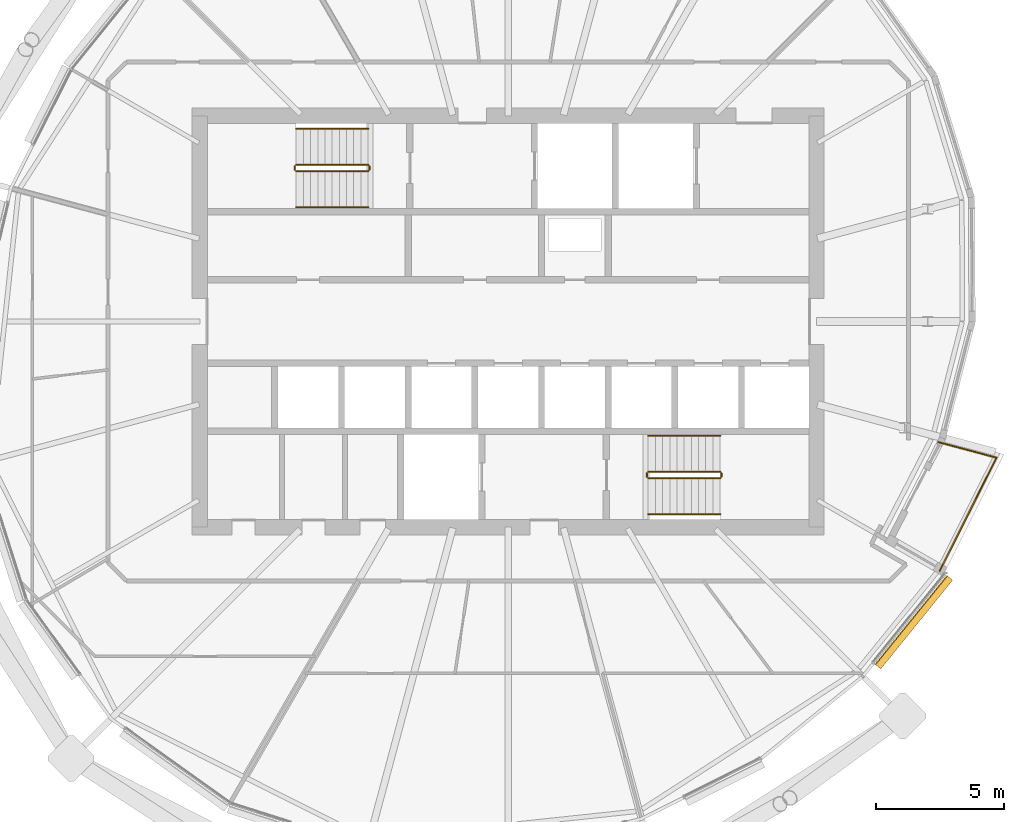
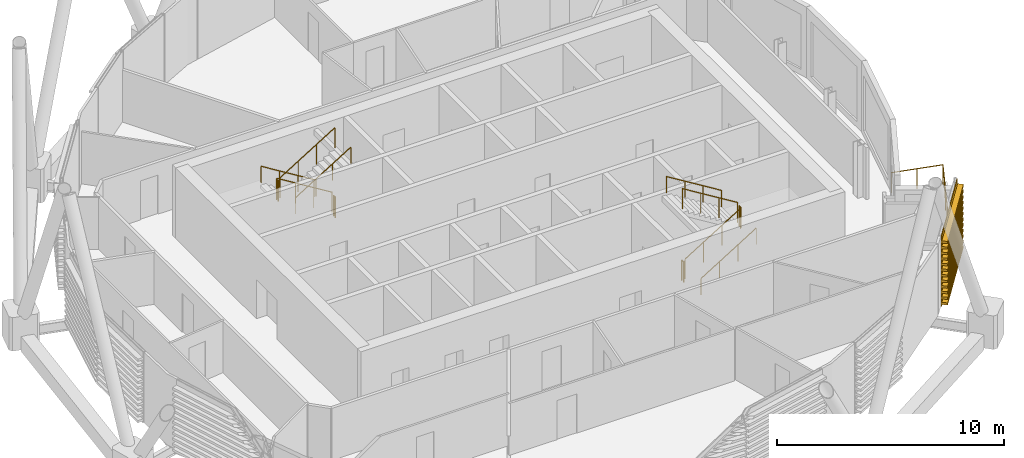
# One storey, part 34 of 35: 13 railings, 1 covering.
"""IFC4 building model written with IfcOpenShell, lengths in metres."""

from ifc_helpers import new_model, si_unit, direction, frame, origin, origin_2d, place, context, subcontext, project, spatial, polyline, circle, outline, extrude, material, material_profile, profile_set, type_object, element, save


model = new_model("IFC4")

# Units and contexts
model_context = context("Model", 3, precision=1e-05, world=origin(), true_north=direction((0.0, 1.0)))
body_context = subcontext(model_context, "Body", "Model", "MODEL_VIEW")
ifc_project = project(units=[si_unit("LENGTHUNIT", "METRE"), si_unit("AREAUNIT", "SQUARE_METRE"), si_unit("VOLUMEUNIT", "CUBIC_METRE"), si_unit("PLANEANGLEUNIT", "RADIAN"), si_unit("MASSUNIT", "GRAM", prefix="KILO")], contexts=[model_context])

# Site, building, storey
site_placement = place(None, origin())
site = spatial("IfcSite", under=ifc_project, at=site_placement, CompositionType="ELEMENT")
building_placement = place(site_placement, origin())
building = spatial("IfcBuilding", under=site, at=building_placement, Name="Rimbun Link Towers", CompositionType="ELEMENT")
storey_placement = place(building_placement, frame((0.0, 0.0, 181.699951171875)))
storey = spatial("IfcBuildingStorey", under=building, at=storey_placement, Name="L44", CompositionType="ELEMENT", Elevation=181.699951171875)

# Railings
ifc_material_1 = material(Name="Stainless steel grade 316", Category="steel")
railing_type_1 = type_object("IfcRailingType", Name="GUARD stainless rail and posts", PredefinedType="GUARDRAIL", material=ifc_material_1)
railing_1_placement = place(storey_placement, frame((48.544189453125, -9.709716796875, 0.0)))
element("IfcRailing", 1, at=railing_1_placement, inside=storey, type_object=railing_type_1, Name="GUARD", PredefinedType="GUARDRAIL", context=body_context, shape_type="SweptSolid", body=[
    extrude(circle(Radius=0.02392578125, at=origin_2d()), frame((0.0, 0.0, 1.076171875), z_axis=(0.448776455302, 0.893644052835, 0.0), x_axis=(-0.893644052835, 0.448776455302, 0.0)), (0.0, 0.0, 1.0), 4.934326171875),
    extrude(circle(Radius=0.02392578125, at=origin_2d()), frame((2.21435546875, 4.409423828125, 1.076171875), z_axis=(-0.965924445244, 0.258824199177, 0.0), x_axis=(-0.258824199177, -0.965924445244, 0.0)), (0.0, 0.0, 1.0), 2.3544921875),
    extrude(circle(Radius=0.02099609375, at=origin_2d()), origin(), (0.0, 0.0, 1.0), 1.052001953125),
    extrude(circle(Radius=0.02099609375, at=origin_2d()), frame((0.44287109375, 0.8818359375, 0.0)), (0.0, 0.0, 1.0), 1.052001953125),
    extrude(circle(Radius=0.02099609375, at=origin_2d()), frame((0.8857421875, 1.763671875, 0.0)), (0.0, 0.0, 1.0), 1.052001953125),
    extrude(circle(Radius=0.02099609375, at=origin_2d()), frame((1.32861328125, 2.645751953125, 0.0)), (0.0, 0.0, 1.0), 1.052001953125),
    extrude(circle(Radius=0.02099609375, at=origin_2d()), frame((1.771484375, 3.527587890625, 0.0)), (0.0, 0.0, 1.0), 1.052001953125),
    extrude(circle(Radius=0.02099609375, at=origin_2d()), frame((2.21435546875, 4.409423828125, 0.0)), (0.0, 0.0, 1.0), 1.052001953125),
    extrude(circle(Radius=0.02099609375, at=origin_2d()), frame((1.0771484375, 4.714111328125, 0.0)), (0.0, 0.0, 1.0), 1.052001953125),
    extrude(circle(Radius=0.02099609375, at=origin_2d()), frame((-0.059814453125, 5.018798828125, 0.0)), (0.0, 0.0, 1.0), 1.052001953125),
])
ifc_material_2 = material(Name="Stainless steel grade 316", Category="steel")
railing_type_2 = type_object("IfcRailingType", Name="Stair guard", PredefinedType="GUARDRAIL", material=ifc_material_2)
railing_2_placement = place(storey_placement, frame((26.300048828125, 6.10009765625, 0.1728515625)))
element("IfcRailing", 2, at=railing_2_placement, inside=storey, type_object=railing_type_2, Name="L44 ST3 stair guard 1", PredefinedType="GUARDRAIL", context=body_context, shape_type="SweptSolid", body=[
    extrude(circle(Radius=0.02392578125, at=origin_2d()), frame((0.0, 0.0, 1.076171875), z_axis=(-0.851089632645, 0.0, 0.525020415988), x_axis=(0.0, -1.0, 0.0)), (0.0, 0.0, 1.0), 3.2900390625),
    extrude(circle(Radius=0.02099609375, at=origin_2d()), origin(), (0.0, 0.0, 1.0), 1.052001953125),
    extrude(circle(Radius=0.02099609375, at=origin_2d()), frame((-0.933349609375, 0.0, 0.57568359375)), (0.0, 0.0, 1.0), 1.052001953125),
    extrude(circle(Radius=0.02099609375, at=origin_2d()), frame((-1.86669921875, 0.0, 1.151611328125)), (0.0, 0.0, 1.0), 1.052001953125),
    extrude(circle(Radius=0.02099609375, at=origin_2d()), frame((-2.800048828125, 0.0, 1.727294921875)), (0.0, 0.0, 1.0), 1.052001953125),
])
railing_3_placement = place(storey_placement, frame((23.449951171875, 6.050048828125, 1.900146484375)))
element("IfcRailing", 3, at=railing_3_placement, inside=storey, type_object=railing_type_2, Name="L44 ST3 stair guard 2", PredefinedType="GUARDRAIL", context=body_context, shape_type="SweptSolid", body=[
    extrude(circle(Radius=0.02392578125, at=origin_2d()), frame((0.0, 0.0, 1.076171875), z_axis=(0.0, -1.0, 0.0), x_axis=(1.0, 0.0, 0.0)), (0.0, 0.0, 1.0), 0.150146484375),
    extrude(circle(Radius=0.02099609375, at=origin_2d()), origin(), (0.0, 0.0, 1.0), 1.052001953125),
    extrude(circle(Radius=0.02099609375, at=origin_2d()), frame((0.0, -0.150146484375, 0.0)), (0.0, 0.0, 1.0), 1.052001953125),
])
railing_4_placement = place(storey_placement, frame((23.5, 5.85009765625, 2.07275390625)))
element("IfcRailing", 4, at=railing_4_placement, inside=storey, type_object=railing_type_2, Name="L44 ST3 stair guard 3", PredefinedType="GUARDRAIL", context=body_context, shape_type="SweptSolid", body=[
    extrude(circle(Radius=0.02392578125, at=origin_2d()), frame((0.0, 0.0, 1.076171875), z_axis=(0.851089632645, 0.0, 0.525020415988), x_axis=(0.0, 1.0, 0.0)), (0.0, 0.0, 1.0), 3.2900390625),
    extrude(circle(Radius=0.02099609375, at=origin_2d()), origin(), (0.0, 0.0, 1.0), 1.052001953125),
    extrude(circle(Radius=0.02099609375, at=origin_2d()), frame((0.933349609375, 0.0, 0.57568359375)), (0.0, 0.0, 1.0), 1.052001953125),
    extrude(circle(Radius=0.02099609375, at=origin_2d()), frame((1.86669921875, 0.0, 1.151611328125)), (0.0, 0.0, 1.0), 1.052001953125),
    extrude(circle(Radius=0.02099609375, at=origin_2d()), frame((2.800048828125, 0.0, 1.727294921875)), (0.0, 0.0, 1.0), 1.052001953125),
])
railing_5_placement = place(storey_placement, frame((26.35009765625, 6.050048828125, 0.0)))
element("IfcRailing", 5, at=railing_5_placement, inside=storey, type_object=railing_type_2, Name="L44 ST3 stair guard 4", PredefinedType="GUARDRAIL", context=body_context, shape_type="SweptSolid", body=[
    extrude(circle(Radius=0.02392578125, at=origin_2d()), frame((0.0, 0.0, 1.076171875), z_axis=(0.0, -1.0, 0.0), x_axis=(1.0, 0.0, 0.0)), (0.0, 0.0, 1.0), 0.150146484375),
    extrude(circle(Radius=0.02099609375, at=origin_2d()), origin(), (0.0, 0.0, 1.0), 1.052001953125),
    extrude(circle(Radius=0.02099609375, at=origin_2d()), frame((0.0, -0.150146484375, 0.0)), (0.0, 0.0, 1.0), 1.052001953125),
])
railing_6_placement = place(storey_placement, frame((37.199951171875, -6.10009765625, 0.1728515625)))
element("IfcRailing", 6, at=railing_6_placement, inside=storey, type_object=railing_type_2, Name="L44 ST4 stair guard 1", PredefinedType="GUARDRAIL", context=body_context, shape_type="SweptSolid", body=[
    extrude(circle(Radius=0.02392578125, at=origin_2d()), frame((0.0, 0.0, 1.076171875), z_axis=(0.851089632645, 0.0, 0.525020415988), x_axis=(0.0, 1.0, 0.0)), (0.0, 0.0, 1.0), 3.2900390625),
    extrude(circle(Radius=0.02099609375, at=origin_2d()), origin(), (0.0, 0.0, 1.0), 1.052001953125),
    extrude(circle(Radius=0.02099609375, at=origin_2d()), frame((0.933349609375, 0.0, 0.57568359375)), (0.0, 0.0, 1.0), 1.052001953125),
    extrude(circle(Radius=0.02099609375, at=origin_2d()), frame((1.86669921875, 0.0, 1.151611328125)), (0.0, 0.0, 1.0), 1.052001953125),
    extrude(circle(Radius=0.02099609375, at=origin_2d()), frame((2.800048828125, 0.0, 1.727294921875)), (0.0, 0.0, 1.0), 1.052001953125),
])
railing_7_placement = place(storey_placement, frame((40.050048828125, -6.050048828125, 1.900146484375)))
element("IfcRailing", 7, at=railing_7_placement, inside=storey, type_object=railing_type_2, Name="L44 ST4 stair guard 2", PredefinedType="GUARDRAIL", context=body_context, shape_type="SweptSolid", body=[
    extrude(circle(Radius=0.02392578125, at=origin_2d()), frame((0.0, 0.0, 1.076171875), z_axis=(0.0, 1.0, 0.0), x_axis=(-1.0, 0.0, 0.0)), (0.0, 0.0, 1.0), 0.150146484375),
    extrude(circle(Radius=0.02099609375, at=origin_2d()), origin(), (0.0, 0.0, 1.0), 1.052001953125),
    extrude(circle(Radius=0.02099609375, at=origin_2d()), frame((0.0, 0.150146484375, 0.0)), (0.0, 0.0, 1.0), 1.052001953125),
])
railing_8_placement = place(storey_placement, frame((40.0, -5.85009765625, 2.07275390625)))
element("IfcRailing", 8, at=railing_8_placement, inside=storey, type_object=railing_type_2, Name="L44 ST4 stair guard 3", PredefinedType="GUARDRAIL", context=body_context, shape_type="SweptSolid", body=[
    extrude(circle(Radius=0.02392578125, at=origin_2d()), frame((0.0, 0.0, 1.076171875), z_axis=(-0.851089632645, 0.0, 0.525020415988), x_axis=(0.0, -1.0, 0.0)), (0.0, 0.0, 1.0), 3.2900390625),
    extrude(circle(Radius=0.02099609375, at=origin_2d()), origin(), (0.0, 0.0, 1.0), 1.052001953125),
    extrude(circle(Radius=0.02099609375, at=origin_2d()), frame((-0.933349609375, 0.0, 0.57568359375)), (0.0, 0.0, 1.0), 1.052001953125),
    extrude(circle(Radius=0.02099609375, at=origin_2d()), frame((-1.86669921875, 0.0, 1.151611328125)), (0.0, 0.0, 1.0), 1.052001953125),
    extrude(circle(Radius=0.02099609375, at=origin_2d()), frame((-2.800048828125, 0.0, 1.727294921875)), (0.0, 0.0, 1.0), 1.052001953125),
])
railing_9_placement = place(storey_placement, frame((37.14990234375, -6.050048828125, 0.0)))
element("IfcRailing", 9, at=railing_9_placement, inside=storey, type_object=railing_type_2, Name="L44 ST4 stair guard 4", PredefinedType="GUARDRAIL", context=body_context, shape_type="SweptSolid", body=[
    extrude(circle(Radius=0.02392578125, at=origin_2d()), frame((0.0, 0.0, 1.076171875), z_axis=(0.0, 1.0, 0.0), x_axis=(-1.0, 0.0, 0.0)), (0.0, 0.0, 1.0), 0.150146484375),
    extrude(circle(Radius=0.02099609375, at=origin_2d()), origin(), (0.0, 0.0, 1.0), 1.052001953125),
    extrude(circle(Radius=0.02099609375, at=origin_2d()), frame((0.0, 0.150146484375, 0.0)), (0.0, 0.0, 1.0), 1.052001953125),
])
ifc_material_3 = material(Name="Stainless steel grade 316", Category="steel")
railing_type_3 = type_object("IfcRailingType", Name="Stair handrail", PredefinedType="HANDRAIL", material=ifc_material_3)
railing_10_placement = place(storey_placement, frame((26.300048828125, 7.5, 0.1728515625)))
element("IfcRailing", 10, at=railing_10_placement, inside=storey, type_object=railing_type_3, Name="L44 ST3 stair handrail 1", PredefinedType="HANDRAIL", context=body_context, shape_type="SweptSolid", body=[
    extrude(circle(Radius=0.02392578125, at=origin_2d()), frame((0.0, 0.0, 0.8759765625), z_axis=(-0.851089632645, 0.0, 0.525020415988), x_axis=(0.0, -1.0, 0.0)), (0.0, 0.0, 1.0), 3.2900390625),
    extrude(circle(Radius=0.02099609375, at=origin_2d()), origin(), (0.0, 0.0, 1.0), 0.851806640625),
    extrude(circle(Radius=0.02099609375, at=origin_2d()), frame((-0.933349609375, 0.0, 0.57568359375)), (0.0, 0.0, 1.0), 0.851806640625),
    extrude(circle(Radius=0.02099609375, at=origin_2d()), frame((-1.86669921875, 0.0, 1.151611328125)), (0.0, 0.0, 1.0), 0.851806640625),
    extrude(circle(Radius=0.02099609375, at=origin_2d()), frame((-2.800048828125, 0.0, 1.727294921875)), (0.0, 0.0, 1.0), 0.851806640625),
])
for number, where, name in (
    (11, (23.5, 4.449951171875, 2.07275390625), "L44 ST3 stair handrail 2"),
    (12, (37.199951171875, -7.5, 0.1728515625), "L44 ST4 stair handrail 1"),
):
    element("IfcRailing", number, at=place(storey_placement, frame(where)), inside=storey, type_object=railing_type_3, Name=name, PredefinedType="HANDRAIL", context=body_context, shape_type="SweptSolid", body=[
        extrude(circle(Radius=0.02392578125, at=origin_2d()), frame((0.0, 0.0, 0.8759765625), z_axis=(0.851089632645, 0.0, 0.525020415988), x_axis=(0.0, 1.0, 0.0)), (0.0, 0.0, 1.0), 3.2900390625),
        extrude(circle(Radius=0.02099609375, at=origin_2d()), origin(), (0.0, 0.0, 1.0), 0.851806640625),
        extrude(circle(Radius=0.02099609375, at=origin_2d()), frame((0.933349609375, 0.0, 0.57568359375)), (0.0, 0.0, 1.0), 0.851806640625),
        extrude(circle(Radius=0.02099609375, at=origin_2d()), frame((1.86669921875, 0.0, 1.151611328125)), (0.0, 0.0, 1.0), 0.851806640625),
        extrude(circle(Radius=0.02099609375, at=origin_2d()), frame((2.800048828125, 0.0, 1.727294921875)), (0.0, 0.0, 1.0), 0.851806640625),
    ])
railing_11_placement = place(storey_placement, frame((40.0, -4.449951171875, 2.07275390625)))
element("IfcRailing", 13, at=railing_11_placement, inside=storey, type_object=railing_type_3, Name="L44 ST4 stair handrail 2", PredefinedType="HANDRAIL", context=body_context, shape_type="SweptSolid", body=[
    extrude(circle(Radius=0.02392578125, at=origin_2d()), frame((0.0, 0.0, 0.8759765625), z_axis=(-0.851089632645, 0.0, 0.525020415988), x_axis=(0.0, -1.0, 0.0)), (0.0, 0.0, 1.0), 3.2900390625),
    extrude(circle(Radius=0.02099609375, at=origin_2d()), origin(), (0.0, 0.0, 1.0), 0.851806640625),
    extrude(circle(Radius=0.02099609375, at=origin_2d()), frame((-0.933349609375, 0.0, 0.57568359375)), (0.0, 0.0, 1.0), 0.851806640625),
    extrude(circle(Radius=0.02099609375, at=origin_2d()), frame((-1.86669921875, 0.0, 1.151611328125)), (0.0, 0.0, 1.0), 0.851806640625),
    extrude(circle(Radius=0.02099609375, at=origin_2d()), frame((-2.800048828125, 0.0, 1.727294921875)), (0.0, 0.0, 1.0), 0.851806640625),
])

# Covering
ifc_material_4 = material(Name="Terracotta", Category="masonry")
ifc_material_profile = material_profile(ifc_material_4, outline(polyline([(0.123046875, 0.0), (0.1630859375, 0.0), (0.1630859375, 0.10009765625), (0.423095703125, 0.10009765625), (0.423095703125, 0.219970703125), (0.1630859375, 0.219970703125), (0.1630859375, 0.39990234375), (0.423095703125, 0.39990234375), (0.423095703125, 0.52001953125), (0.1630859375, 0.52001953125), (0.1630859375, 0.699951171875), (0.423095703125, 0.699951171875), (0.423095703125, 0.820068359375), (0.1630859375, 0.820068359375), (0.1630859375, 1.0), (0.423095703125, 1.0), (0.423095703125, 1.1201171875), (0.1630859375, 1.1201171875), (0.1630859375, 1.300048828125), (0.423095703125, 1.300048828125), (0.423095703125, 1.419921875), (0.1630859375, 1.419921875), (0.1630859375, 1.60009765625), (0.423095703125, 1.60009765625), (0.423095703125, 1.719970703125), (0.1630859375, 1.719970703125), (0.1630859375, 1.89990234375), (0.423095703125, 1.89990234375), (0.423095703125, 2.02001953125), (0.1630859375, 2.02001953125), (0.1630859375, 2.199951171875), (0.423095703125, 2.199951171875), (0.423095703125, 2.320068359375), (0.1630859375, 2.320068359375), (0.1630859375, 2.5), (0.423095703125, 2.5), (0.423095703125, 2.6201171875), (0.1630859375, 2.6201171875), (0.1630859375, 2.800048828125), (0.423095703125, 2.800048828125), (0.423095703125, 2.919921875), (0.1630859375, 2.919921875), (0.1630859375, 3.10009765625), (0.423095703125, 3.10009765625), (0.423095703125, 3.219970703125), (0.1630859375, 3.219970703125), (0.1630859375, 3.39990234375), (0.423095703125, 3.39990234375), (0.423095703125, 3.52001953125), (0.1630859375, 3.52001953125), (0.1630859375, 3.800048828125), (0.123046875, 3.800048828125), (0.123046875, 0.0)])), Name="BAGUETTE 120X300")
ifc_profile_set = profile_set([ifc_material_profile], Name="Terracotta")
covering_type = type_object("IfcCoveringType", Name="TERRACOTTA BAGUETTE 120X300 H3800", PredefinedType="CLADDING", material=ifc_profile_set)
covering_placement = place(storey_placement, frame((48.722900390625, -9.79931640625, 0.0), z_axis=(-0.629133527488, -0.777297243396, 0.0), x_axis=(0.777297243396, -0.629133527488, 0.0)))
element("IfcCovering", 14, at=covering_placement, inside=storey, type_object=covering_type, Name="TERRACOTTA BAGUETTE", PredefinedType="CLADDING", context=body_context, shape_type="SweptSolid", body=[
    extrude(outline(polyline([(0.123046875, 0.0), (0.1630859375, 0.0), (0.1630859375, 0.10009765625), (0.423095703125, 0.10009765625), (0.423095703125, 0.219970703125), (0.1630859375, 0.219970703125), (0.1630859375, 0.39990234375), (0.423095703125, 0.39990234375), (0.423095703125, 0.52001953125), (0.1630859375, 0.52001953125), (0.1630859375, 0.699951171875), (0.423095703125, 0.699951171875), (0.423095703125, 0.820068359375), (0.1630859375, 0.820068359375), (0.1630859375, 1.0), (0.423095703125, 1.0), (0.423095703125, 1.1201171875), (0.1630859375, 1.1201171875), (0.1630859375, 1.300048828125), (0.423095703125, 1.300048828125), (0.423095703125, 1.419921875), (0.1630859375, 1.419921875), (0.1630859375, 1.60009765625), (0.423095703125, 1.60009765625), (0.423095703125, 1.719970703125), (0.1630859375, 1.719970703125), (0.1630859375, 1.89990234375), (0.423095703125, 1.89990234375), (0.423095703125, 2.02001953125), (0.1630859375, 2.02001953125), (0.1630859375, 2.199951171875), (0.423095703125, 2.199951171875), (0.423095703125, 2.320068359375), (0.1630859375, 2.320068359375), (0.1630859375, 2.5), (0.423095703125, 2.5), (0.423095703125, 2.6201171875), (0.1630859375, 2.6201171875), (0.1630859375, 2.800048828125), (0.423095703125, 2.800048828125), (0.423095703125, 2.919921875), (0.1630859375, 2.919921875), (0.1630859375, 3.10009765625), (0.423095703125, 3.10009765625), (0.423095703125, 3.219970703125), (0.1630859375, 3.219970703125), (0.1630859375, 3.39990234375), (0.423095703125, 3.39990234375), (0.423095703125, 3.52001953125), (0.1630859375, 3.52001953125), (0.1630859375, 3.800048828125), (0.123046875, 3.800048828125), (0.123046875, 0.0)])), origin(), (0.0, 0.0, 1.0), 4.45068359375),
])

save(model, "model.ifc")
